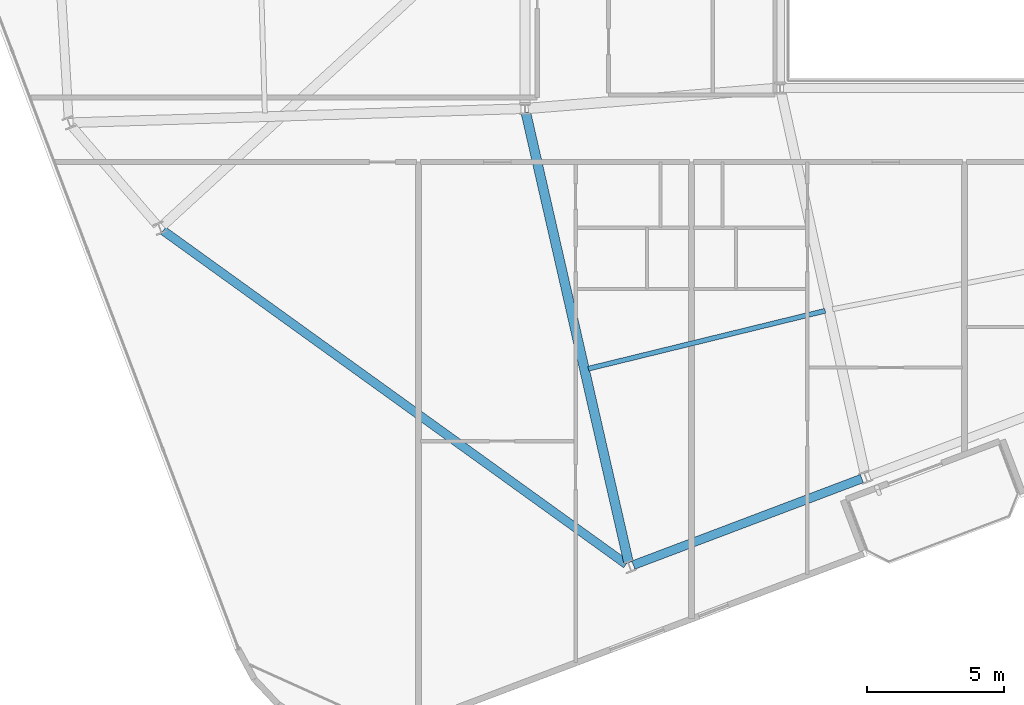
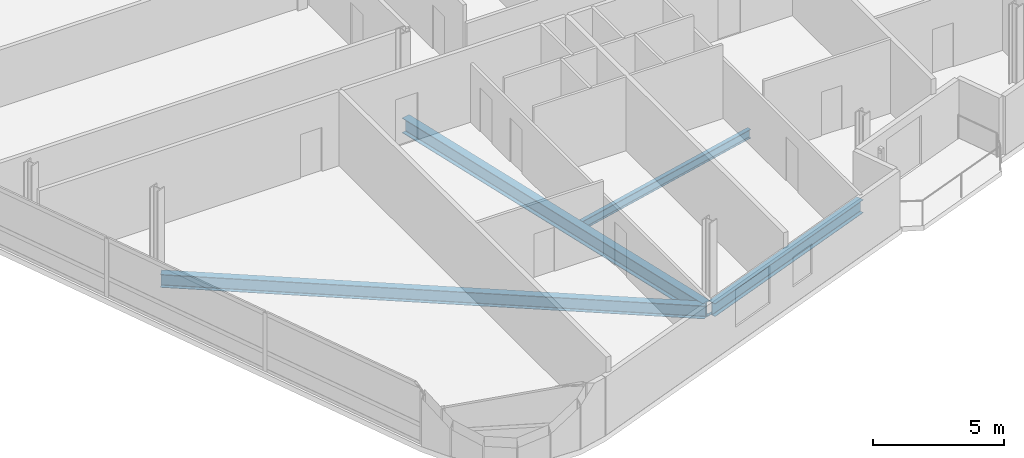
# One storey, part 6 of 24: 4 beams.
"""IFC4 building model written with IfcOpenShell, lengths in metres."""

from ifc_helpers import new_model, si_unit, direction, frame, origin, origin_2d, place, context, subcontext, project, spatial, i_section, extrude, material, material_profile, profile_set, type_object, element, save


model = new_model("IFC4")

# Units and contexts
model_context = context("Model", 3, precision=1e-05, world=origin(), true_north=direction((0.0, 1.0)))
body_context = subcontext(model_context, "Body", "Model", "MODEL_VIEW")
ifc_project = project(units=[si_unit("LENGTHUNIT", "METRE"), si_unit("AREAUNIT", "SQUARE_METRE"), si_unit("VOLUMEUNIT", "CUBIC_METRE"), si_unit("PLANEANGLEUNIT", "RADIAN"), si_unit("MASSUNIT", "GRAM", prefix="KILO")], contexts=[model_context])

# Site, building, storey
site_placement = place(None, origin())
site = spatial("IfcSite", under=ifc_project, at=site_placement, CompositionType="ELEMENT")
building_placement = place(site_placement, origin())
building = spatial("IfcBuilding", under=site, at=building_placement, Name="Varnelok Gate Tower", CompositionType="ELEMENT")
storey_placement = place(building_placement, frame((0.0, 0.0, 212.699951171875)))
storey = spatial("IfcBuildingStorey", under=building, at=storey_placement, Name="L54", CompositionType="ELEMENT", Elevation=212.699951171875)

# Beams
ifc_material = material(Name="Structural Steel ASTM A992 Grade 50", Category="steel")
ifc_material_profile_1 = material_profile(ifc_material, i_section(OverallWidth=0.180908203125, OverallDepth=0.4169921875, WebThickness=0.010986328125, FlangeThickness=0.018310546875, FilletRadius=0.013916015625, at=origin_2d()), Name="W16X57")
ifc_profile_set_1 = profile_set([ifc_material_profile_1], Name="Structural Steel ASTM A992 Grade 50")
beam_type_1 = type_object("IfcBeamType", Name="BM-JST-W16X57", PredefinedType="JOIST", material=ifc_profile_set_1)
beam_1_placement = place(storey_placement, frame((26.718505859375, 9.273193359375, -0.45849609375), z_axis=(0.971369027211, 0.237575699463, 0.0), x_axis=(-0.237575699463, 0.971369027211, 0.0)))
element("IfcBeam", 1, at=beam_1_placement, inside=storey, type_object=beam_type_1, Name="L54 Sector Floor Joist 1", PredefinedType="JOIST", context=body_context, shape_type="SweptSolid", body=[
    extrude(i_section(OverallWidth=0.180908203125, OverallDepth=0.4169921875, WebThickness=0.010986328125, FlangeThickness=0.018310546875, FilletRadius=0.013916015625, at=origin_2d()), origin(), (0.0, 0.0, 1.0), 8.935302734375),
])
ifc_material_profile_2 = material_profile(ifc_material, i_section(OverallWidth=0.35498046875, OverallDepth=0.696044921875, WebThickness=0.015380859375, FlangeThickness=0.02490234375, FilletRadius=0.02001953125, at=origin_2d()), Name="W27X146")
ifc_profile_set_2 = profile_set([ifc_material_profile_2], Name="Structural Steel ASTM A992 Grade 50")
beam_type_2 = type_object("IfcBeamType", Name="BM-PRI-W27X146", PredefinedType="BEAM", material=ifc_profile_set_2)
beam_2_placement = place(storey_placement, frame((24.433349609375, 18.65380859375, -0.597900390625), z_axis=(0.222569880735, -0.974916739106, 0.0), x_axis=(0.974916739106, 0.222569880735, 0.0)))
element("IfcBeam", 2, at=beam_2_placement, inside=storey, type_object=beam_type_2, Name="L54 Radial Floor Girder 1", PredefinedType="BEAM", context=body_context, shape_type="SweptSolid", body=[
    extrude(i_section(OverallWidth=0.35498046875, OverallDepth=0.696044921875, WebThickness=0.015380859375, FlangeThickness=0.02490234375, FilletRadius=0.02001953125, at=origin_2d()), origin(), (0.0, 0.0, 1.0), 16.903564453125),
])
ifc_material_profile_3 = material_profile(ifc_material, i_section(OverallWidth=0.323974609375, OverallDepth=0.611083984375, WebThickness=0.0126953125, FlangeThickness=0.01904296875, FilletRadius=0.01806640625, at=origin_2d()), Name="W24X104")
ifc_profile_set_3 = profile_set([ifc_material_profile_3], Name="Structural Steel ASTM A992 Grade 50")
beam_type_3 = type_object("IfcBeamType", Name="BM-SPN-W24X104", PredefinedType="SPANDREL", material=ifc_profile_set_3)
beam_3_placement = place(storey_placement, frame((28.369384765625, 2.081298828125, -0.555419921875), z_axis=(0.935225969099, 0.354051389947, 0.0), x_axis=(-0.354051389947, 0.935225969099, 0.0)))
element("IfcBeam", 3, at=beam_3_placement, inside=storey, type_object=beam_type_3, Name="L54 Perimeter Spandrel Beam 1", PredefinedType="SPANDREL", context=body_context, shape_type="SweptSolid", body=[
    extrude(i_section(OverallWidth=0.323974609375, OverallDepth=0.611083984375, WebThickness=0.0126953125, FlangeThickness=0.01904296875, FilletRadius=0.01806640625, at=origin_2d()), origin(), (0.0, 0.0, 1.0), 8.949951171875),
])
beam_4_placement = place(storey_placement, frame((11.148681640625, 14.33251953125, -0.555419921875), z_axis=(0.811386760244, -0.584509645173, 0.0), x_axis=(0.584509645173, 0.811386760244, 0.0)))
element("IfcBeam", 4, at=beam_4_placement, inside=storey, type_object=beam_type_3, Name="L54 Perimeter Spandrel Beam 16", PredefinedType="SPANDREL", context=body_context, shape_type="SweptSolid", body=[
    extrude(i_section(OverallWidth=0.323974609375, OverallDepth=0.611083984375, WebThickness=0.0126953125, FlangeThickness=0.01904296875, FilletRadius=0.01806640625, at=origin_2d()), origin(), (0.0, 0.0, 1.0), 20.90087890625),
])

save(model, "model.ifc")
